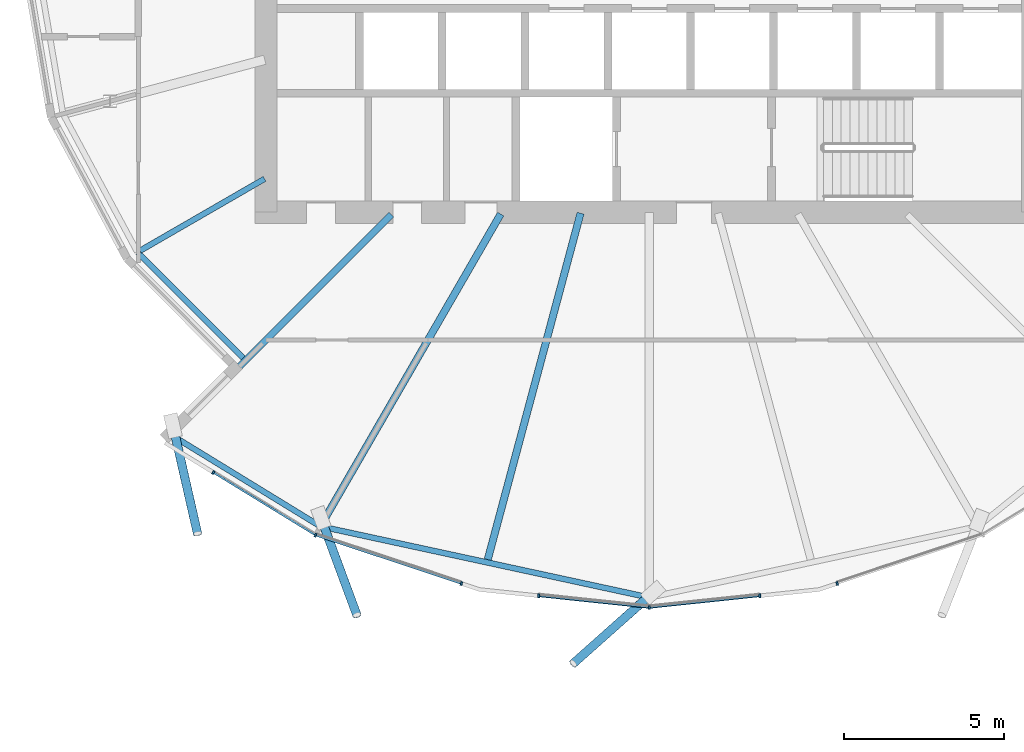
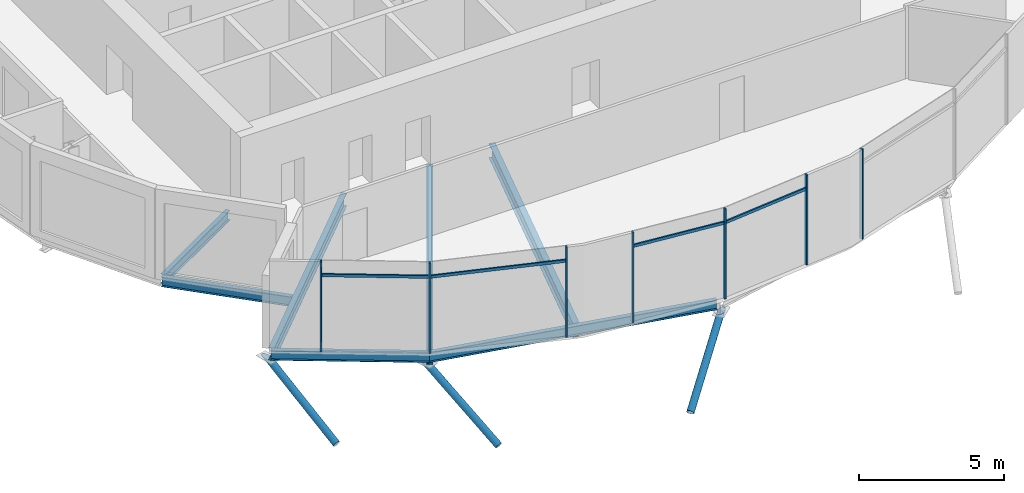
# One storey, part 3 of 39: 14 members, 7 beams, 1 element without a shape of its own.
"""IFC4 building model written with IfcOpenShell, lengths in metres."""

import ifcopenshell
import ifcopenshell.guid

model = None  # the IFC model being written
_history = None  # IfcOwnerHistory: only IFC2X3 demands one
_inside = {}  # id of a spatial element -> (the spatial element, [elements in it])
_under = {}  # id of a project, library or spatial element -> (it, [spatial elements below it])
_declared = {}  # id of a project -> (the project, [libraries it declares])
_typed = {}  # id of a type object -> (the type object, [elements of that type])
_made_of = {}  # id of a material, layer set ... -> (it, [elements and type objects made of it])


def new_model(schema):
    """Start an empty IFC model of exactly this schema.

    Asked for "IFC4X3", IfcOpenShell would pick the latest addendum, in which some entities
    have other attributes; the version numbers below select the first issue.
    IFC2X3 requires an IfcOwnerHistory on every rooted entity: one is made here for all.
    """
    global model, _history
    if schema == "IFC4X3":
        model = ifcopenshell.file(schema_version=(4, 3, 0, 0))
    else:
        model = ifcopenshell.file(schema=schema)
    _inside.clear()
    _under.clear()
    _declared.clear()
    _typed.clear()
    _made_of.clear()
    _history = None
    if model.schema == "IFC2X3":
        org = make("IfcOrganization", Name="unknown")
        user = make(
            "IfcPersonAndOrganization",
            ThePerson=make("IfcPerson", FamilyName="unknown"),
            TheOrganization=org,
        )
        app = make(
            "IfcApplication",
            ApplicationDeveloper=org,
            Version="unknown",
            ApplicationFullName="unknown",
            ApplicationIdentifier="unknown",
        )
        _history = make(
            "IfcOwnerHistory",
            OwningUser=user,
            OwningApplication=app,
            ChangeAction="ADDED",
            CreationDate=0,
        )
    return model


def make(cls, **values):
    """One entity of the class cls with the attributes given. An attribute that is None is left unset."""
    return model.create_entity(
        cls, **{name: value for name, value in values.items() if value is not None}
    )


def rooted(cls, **values):
    """An entity with a GlobalId (a new one), such as an element, a storey or a relation."""
    return make(cls, GlobalId=ifcopenshell.guid.new(), OwnerHistory=_history, **values)


def si_unit(unit_type, name, prefix=None):
    """IfcSIUnit, for example si_unit("LENGTHUNIT", "METRE", prefix="MILLI")."""
    return make("IfcSIUnit", UnitType=unit_type, Prefix=prefix, Name=name)


def assignment(units):
    """IfcUnitAssignment: the units of a project."""
    return None if units is None else make("IfcUnitAssignment", Units=units)


def point(xyz):
    """IfcCartesianPoint."""
    return None if xyz is None else make("IfcCartesianPoint", Coordinates=xyz)


def direction(xyz):
    """IfcDirection."""
    return None if xyz is None else make("IfcDirection", DirectionRatios=xyz)


def frame(location, z_axis=None, x_axis=None):
    """IfcAxis2Placement3D, a coordinate frame: its origin and axes. An axis left out is left unset."""
    return make(
        "IfcAxis2Placement3D",
        Location=point(location),
        Axis=direction(z_axis),
        RefDirection=direction(x_axis),
    )


def frame_2d(location, x_axis=None):
    """IfcAxis2Placement2D, a coordinate frame in the plane: its origin and x axis."""
    return make(
        "IfcAxis2Placement2D", Location=point(location), RefDirection=direction(x_axis)
    )


def origin():
    """The frame at (0, 0, 0) with its axes left unset."""
    return frame((0.0, 0.0, 0.0))


def origin_2d():
    """The frame at (0, 0) in the plane with its x axis left unset."""
    return frame_2d((0.0, 0.0))


def place(relative_to, where):
    """IfcLocalPlacement: puts the frame where relative to a parent placement (None: the world)."""
    return make(
        "IfcLocalPlacement", PlacementRelTo=relative_to, RelativePlacement=where
    )


def context(
    kind, dimensions, precision=None, world=None, true_north=None, identifier=None
):
    """IfcGeometricRepresentationContext, for example the 3D "Model" context."""
    return make(
        "IfcGeometricRepresentationContext",
        ContextIdentifier=identifier,
        ContextType=kind,
        CoordinateSpaceDimension=dimensions,
        Precision=precision,
        WorldCoordinateSystem=world,
        TrueNorth=true_north,
    )


def subcontext(parent, identifier, kind, view, scale=None):
    """IfcGeometricRepresentationSubContext, for example "Body" below "Model"."""
    return make(
        "IfcGeometricRepresentationSubContext",
        ContextIdentifier=identifier,
        ContextType=kind,
        ParentContext=parent,
        TargetScale=scale,
        TargetView=view,
    )


def project(units=None, contexts=None):
    """IfcProject with its units and contexts."""
    return rooted(
        "IfcProject",
        Name="project",
        RepresentationContexts=contexts,
        UnitsInContext=assignment(units),
    )


def spatial(cls, under=None, at=None, **own):
    """A site, building, storey or space (cls), placed at a placement, below another one or the project."""
    s = rooted(cls, ObjectPlacement=at, **own)
    if under is not None:
        _under.setdefault(under.id(), (under, []))[1].append(s)
    return s


def profile(cls, at=None, kind="AREA", **sizes):
    """A parametric profile (cls). Its sizes go by their IFC names, for example OverallWidth=200.0."""
    return make(cls, ProfileType=kind, Position=at, **sizes)


def rectangle(**sizes):
    """IfcRectangleProfileDef."""
    return profile("IfcRectangleProfileDef", **sizes)


def hollow_circle(**sizes):
    """IfcCircleHollowProfileDef."""
    return profile("IfcCircleHollowProfileDef", **sizes)


def i_section(**sizes):
    """IfcIShapeProfileDef."""
    return profile("IfcIShapeProfileDef", **sizes)


def extrude(swept, where, along, depth):
    """IfcExtrudedAreaSolid: the profile swept, set in the frame where, extruded along a direction by depth."""
    return make(
        "IfcExtrudedAreaSolid",
        SweptArea=swept,
        Position=where,
        ExtrudedDirection=direction(along),
        Depth=depth,
    )


def clip(a, b, op="DIFFERENCE"):
    """IfcBooleanClippingResult: the solid a cut by the half space b."""
    return make(
        "IfcBooleanClippingResult", Operator=op, FirstOperand=a, SecondOperand=b
    )


def halfspace(plane, agree):
    """IfcHalfSpaceSolid: all space on one side of the plane z = 0 of the frame plane."""
    return make(
        "IfcHalfSpaceSolid",
        BaseSurface=make("IfcPlane", Position=plane),
        AgreementFlag=agree,
    )


def shape(context_of_items, identifier, shape_type, items):
    """IfcShapeRepresentation: the items that make up one representation, for example the "Body"."""
    return make(
        "IfcShapeRepresentation",
        ContextOfItems=context_of_items,
        RepresentationIdentifier=identifier,
        RepresentationType=shape_type,
        Items=items,
    )


def material(Name=None, Category=None):
    """IfcMaterial."""
    return make("IfcMaterial", Name=Name, Category=Category)


def material_profile(
    of_material, cross_section, Name=None, Category=None, Priority=None
):
    """IfcMaterialProfile: a cross section and its material."""
    return make(
        "IfcMaterialProfile",
        Name=Name,
        Material=of_material,
        Profile=cross_section,
        Priority=Priority,
        Category=Category,
    )


def profile_set(profiles, Name=None, composite=None):
    """IfcMaterialProfileSet."""
    return make(
        "IfcMaterialProfileSet",
        Name=Name,
        MaterialProfiles=profiles,
        CompositeProfile=composite,
    )


def made_of(thing, what):
    """Note that an element or type object is made of a material, layer set ...; save() writes the relation."""
    if what is not None:
        _made_of.setdefault(what.id(), (what, []))[1].append(thing)
    return thing


def type_object(cls, material=None, **own):
    """A type object (cls), such as IfcWallType, which elements share."""
    return made_of(rooted(cls, **own), material)


def element(
    cls,
    number,
    at=None,
    inside=None,
    cuts=None,
    type_object=None,
    material=None,
    context=None,
    identifier="Body",
    shape_type=None,
    held_by="IfcProductDefinitionShape",
    body=None,
    shapes=None,
    **own,
):
    """One element of the class cls, such as IfcWall. Its Tag is "e" and its number.

    at: its placement. inside: the storey or other place that contains it. cuts: it is an
    opening in that element (IfcRelVoidsElement). A single representation is given by context,
    identifier, shape_type and body (its items); several are given by shapes. held_by: the class
    of the entity that holds the representations. save() writes the other relations.
    """
    e = rooted(cls, Tag="e%d" % number, ObjectPlacement=at, **own)
    if body is not None:
        shapes = [shape(context, identifier, shape_type, body)]
    if shapes is not None:
        e.Representation = make(held_by, Representations=shapes)
    if inside is not None:
        _inside.setdefault(inside.id(), (inside, []))[1].append(e)
    if cuts is not None:
        rooted(
            "IfcRelVoidsElement", RelatingBuildingElement=cuts, RelatedOpeningElement=e
        )
    if type_object is not None:
        _typed.setdefault(type_object.id(), (type_object, []))[1].append(e)
    return made_of(e, material)


def aggregate(whole, parts):
    """IfcRelAggregates: a whole, such as a stair, and the parts it consists of."""
    return rooted("IfcRelAggregates", RelatingObject=whole, RelatedObjects=parts)


def save(model, path):
    """Write the relations noted so far, then the file.

    IfcRelAggregates (storeys below a building ...), IfcRelContainedInSpatialStructure (elements
    in a storey), IfcRelDefinesByType, IfcRelAssociatesMaterial and IfcRelDeclares: one each for
    every whole, place, type object, material and project.
    """
    for whole, parts in _under.values():
        aggregate(whole, parts)
    for where, things in _inside.values():
        rooted(
            "IfcRelContainedInSpatialStructure",
            RelatedElements=things,
            RelatingStructure=where,
        )
    for kind, things in _typed.values():
        rooted("IfcRelDefinesByType", RelatedObjects=things, RelatingType=kind)
    for what, things in _made_of.values():
        rooted("IfcRelAssociatesMaterial", RelatedObjects=things, RelatingMaterial=what)
    for by, libraries in _declared.values():
        rooted("IfcRelDeclares", RelatingContext=by, RelatedDefinitions=libraries)
    model.write(path)


model = new_model("IFC4")

# Units and contexts
model_context = context("Model", 3, precision=1e-05, world=origin(), true_north=direction((0.0, 1.0)))
body_context = subcontext(model_context, "Body", "Model", "MODEL_VIEW")
ifc_project = project(units=[si_unit("LENGTHUNIT", "METRE"), si_unit("AREAUNIT", "SQUARE_METRE"), si_unit("VOLUMEUNIT", "CUBIC_METRE"), si_unit("PLANEANGLEUNIT", "RADIAN"), si_unit("MASSUNIT", "GRAM", prefix="KILO")], contexts=[model_context])

# Site, building, storey
site_placement = place(None, origin())
site = spatial("IfcSite", under=ifc_project, at=site_placement, CompositionType="ELEMENT")
building_placement = place(site_placement, origin())
building = spatial("IfcBuilding", under=site, at=building_placement, Name="Rimbun Link Towers", CompositionType="ELEMENT")
storey_placement = place(building_placement, frame((0.0, 0.0, 139.199951171875)))
storey = spatial("IfcBuildingStorey", under=building, at=storey_placement, Name="L33", CompositionType="ELEMENT", Elevation=139.199951171875)

# Curtain wall, members
ifc_material_1 = material(Name="Aluminium 6063-T6 and low-iron glass", Category="aluminium")
curtain_wall_type = type_object("IfcCurtainWallType", Name="CW4 link block wall", PredefinedType="NOTDEFINED", material=ifc_material_1)
curtain_wall_placement = place(storey_placement, origin())
curtain_wall = element("IfcCurtainWall", 1, at=curtain_wall_placement, inside=storey, type_object=curtain_wall_type, Name="CW4 L33 T1", PredefinedType="NOTDEFINED")
ifc_material_2 = material(Name="Aluminium 6063-T6", Category="aluminium")
ifc_material_profile_1 = material_profile(ifc_material_2, rectangle(XDim=0.1201171875, YDim=0.06005859375, at=origin_2d()), Name="MULLION 60X120")
ifc_profile_set_1 = profile_set([ifc_material_profile_1], Name="Aluminium 6063-T6")
member_type_1 = type_object("IfcMemberType", Name="CW4 mullion 60X120", PredefinedType="MULLION", material=ifc_profile_set_1)
member_1_placement = place(storey_placement, frame((-42.20068359375, -18.11181640625, 0.0), z_axis=(0.0, 0.0, 1.0), x_axis=(-0.421697332152, -0.906736654192, 0.0)))
member_1 = element("IfcMember", 2, at=member_1_placement, type_object=member_type_1, Name="CW4 mullion", PredefinedType="MULLION", context=body_context, shape_type="SweptSolid", body=[
    extrude(rectangle(XDim=0.1201171875, YDim=0.06005859375, at=origin_2d()), origin(), (0.0, 0.0, 1.0), 3.800048828125),
])
member_2_placement = place(storey_placement, frame((-45.401611328125, -16.147216796875, 0.0), z_axis=(0.0, 0.0, 1.0), x_axis=(-0.523225378089, -0.852194346217, 0.0)))
member_2 = element("IfcMember", 3, at=member_2_placement, type_object=member_type_1, Name="CW4 mullion", PredefinedType="MULLION", context=body_context, shape_type="SweptSolid", body=[
    extrude(rectangle(XDim=0.1201171875, YDim=0.06005859375, at=origin_2d()), origin(), (0.0, 0.0, 1.0), 3.800048828125),
])
member_3_placement = place(storey_placement, frame((-37.632568359375, -19.626220703125, 0.0), z_axis=(0.0, 0.0, 1.0), x_axis=(-0.314567961741, -0.949234953763, 0.0)))
member_3 = element("IfcMember", 4, at=member_3_placement, type_object=member_type_1, Name="CW4 mullion", PredefinedType="MULLION", context=body_context, shape_type="SweptSolid", body=[
    extrude(rectangle(XDim=0.1201171875, YDim=0.06005859375, at=origin_2d()), origin(), (0.0, 0.0, 1.0), 3.800048828125),
])
member_4_placement = place(storey_placement, frame((-31.75, -20.37548828125, 0.0), z_axis=(0.0, 0.0, 1.0), x_axis=(0.0, -1.0, 0.0)))
member_4 = element("IfcMember", 5, at=member_4_placement, type_object=member_type_1, Name="CW4 mullion", PredefinedType="MULLION", context=body_context, shape_type="SweptSolid", body=[
    extrude(rectangle(XDim=0.1201171875, YDim=0.06005859375, at=origin_2d()), origin(), (0.0, 0.0, 1.0), 3.800048828125),
])
member_5_placement = place(storey_placement, frame((-35.21044921875, -20.011474609375, 0.0), z_axis=(0.0, 0.0, 1.0), x_axis=(-0.104745411125, -0.994499069305, 0.0)))
member_5 = element("IfcMember", 6, at=member_5_placement, type_object=member_type_1, Name="CW4 mullion", PredefinedType="MULLION", context=body_context, shape_type="SweptSolid", body=[
    extrude(rectangle(XDim=0.1201171875, YDim=0.06005859375, at=origin_2d()), origin(), (0.0, 0.0, 1.0), 3.800048828125),
])
member_6_placement = place(storey_placement, frame((-28.28955078125, -20.011474609375, 0.0), z_axis=(0.0, 0.0, 1.0), x_axis=(0.104745411125, -0.994499069305, 0.0)))
member_6 = element("IfcMember", 7, at=member_6_placement, type_object=member_type_1, Name="CW4 mullion", PredefinedType="MULLION", context=body_context, shape_type="SweptSolid", body=[
    extrude(rectangle(XDim=0.1201171875, YDim=0.06005859375, at=origin_2d()), origin(), (0.0, 0.0, 1.0), 3.800048828125),
])
member_7_placement = place(storey_placement, frame((-25.867431640625, -19.626220703125, 0.0), z_axis=(0.0, 0.0, 1.0), x_axis=(0.314567961741, -0.949234953763, 0.0)))
member_7 = element("IfcMember", 8, at=member_7_placement, type_object=member_type_1, Name="CW4 mullion", PredefinedType="MULLION", context=body_context, shape_type="SweptSolid", body=[
    extrude(rectangle(XDim=0.1201171875, YDim=0.06005859375, at=origin_2d()), origin(), (0.0, 0.0, 1.0), 3.800048828125),
])
ifc_material_3 = material(Name="Aluminium 6063-T6", Category="aluminium")
ifc_material_profile_2 = material_profile(ifc_material_3, rectangle(XDim=0.06005859375, YDim=0.1201171875, at=origin_2d()), Name="TRANSOM 60X120")
ifc_profile_set_2 = profile_set([ifc_material_profile_2], Name="Aluminium 6063-T6")
member_type_2 = type_object("IfcMemberType", Name="CW4 transom 60X120", PredefinedType="USERDEFINED", material=ifc_profile_set_2)
member_8_placement = place(storey_placement, frame((-42.2314453125, -18.09130859375, 3.199951171875), z_axis=(-0.85218054514, 0.523247855691, 0.0), x_axis=(-0.523247855691, -0.85218054514, 0.0)))
member_8 = element("IfcMember", 9, at=member_8_placement, type_object=member_type_2, Name="CW4 transom", ObjectType="TRANSOM", PredefinedType="USERDEFINED", context=body_context, shape_type="SweptSolid", body=[
    extrude(rectangle(XDim=0.06005859375, YDim=0.1201171875, at=origin_2d()), origin(), (0.0, 0.0, 1.0), 3.688720703125),
])
member_9_placement = place(storey_placement, frame((-37.660400390625, -19.614990234375, 3.199951171875), z_axis=(-0.949232304469, 0.314575956093, 0.0), x_axis=(-0.314575956093, -0.949232304469, 0.0)))
member_9 = element("IfcMember", 10, at=member_9_placement, type_object=member_type_2, Name="CW4 transom", ObjectType="TRANSOM", PredefinedType="USERDEFINED", context=body_context, shape_type="SweptSolid", body=[
    extrude(rectangle(XDim=0.06005859375, YDim=0.1201171875, at=origin_2d()), origin(), (0.0, 0.0, 1.0), 4.745849609375),
])
member_10_placement = place(storey_placement, frame((-31.785888671875, -20.3701171875, 3.199951171875), z_axis=(-0.994502317074, 0.104714570785, 0.0), x_axis=(-0.104714570785, -0.994502317074, 0.0)))
member_10 = element("IfcMember", 11, at=member_10_placement, type_object=member_type_2, Name="CW4 transom", ObjectType="TRANSOM", PredefinedType="USERDEFINED", context=body_context, shape_type="SweptSolid", body=[
    extrude(rectangle(XDim=0.06005859375, YDim=0.1201171875, at=origin_2d()), origin(), (0.0, 0.0, 1.0), 3.413330078125),
])
member_11_placement = place(storey_placement, frame((-28.319580078125, -20.0126953125, 3.199951171875), z_axis=(-0.994502317074, -0.104714570785, 0.0), x_axis=(0.104714570785, -0.994502317074, 0.0)))
member_11 = element("IfcMember", 12, at=member_11_placement, type_object=member_type_2, Name="CW4 transom", ObjectType="TRANSOM", PredefinedType="USERDEFINED", context=body_context, shape_type="SweptSolid", body=[
    extrude(rectangle(XDim=0.06005859375, YDim=0.1201171875, at=origin_2d()), origin(), (0.0, 0.0, 1.0), 3.413330078125),
])
aggregate(curtain_wall, [member_1, member_2, member_3, member_4, member_5, member_6, member_7, member_8, member_9, member_10, member_11])

# Members
ifc_material_4 = material(Name="Steel S355J2H", Category="steel")
ifc_material_profile_3 = material_profile(ifc_material_4, hollow_circle(Radius=0.136474609375, WallThickness=0.012451171875, at=origin_2d()), Name="CHS 273x12.5")
ifc_profile_set_3 = profile_set([ifc_material_profile_3], Name="Steel S355J2H")
member_type_3 = type_object("IfcMemberType", Name="Floor edge link CHS 273x12.5", PredefinedType="BRACE", material=ifc_profile_set_3)
member_12_placement = place(storey_placement, frame((-46.62158203125, -14.87158203125, -0.833984375), z_axis=(0.196286030785, -0.861411888115, -0.468445677888), x_axis=(0.975007803261, 0.222170618176, 0.0)))
element("IfcMember", 13, at=member_12_placement, inside=storey, type_object=member_type_3, Name="Floor edge link T1 L33 15", PredefinedType="BRACE", context=body_context, shape_type="Clipping", body=[
    clip(extrude(hollow_circle(Radius=0.136474609375, WallThickness=0.012451171875, at=origin_2d()), frame((0.0, 0.0, -0.536376953125)), (0.0, 0.0, 1.0), 4.252685546875), halfspace(frame((0.0, 0.0, -0.25390625), z_axis=(0.0, 0.883492301533, -0.468445677888)), False)),
])
member_13_placement = place(storey_placement, frame((-41.977783203125, -17.715087890625, -0.8984375), z_axis=(0.293961968872, -0.794117166421, -0.53194387566), x_axis=(0.937808556256, 0.347152865194, 0.0)))
element("IfcMember", 14, at=member_13_placement, inside=storey, type_object=member_type_3, Name="Floor edge link T1 L33 16", PredefinedType="BRACE", context=body_context, shape_type="Clipping", body=[
    clip(extrude(hollow_circle(Radius=0.136474609375, WallThickness=0.012451171875, at=origin_2d()), frame((0.0, 0.0, -0.453369140625)), (0.0, 0.0, 1.0), 4.11669921875), halfspace(frame((0.0, 0.0, -0.214111328125), z_axis=(0.0, 0.846779613091, -0.53194387566)), False)),
])
member_14_placement = place(storey_placement, frame((-31.75, -20.01416015625, -0.980712890625), z_axis=(-0.640453968229, -0.569627294095, -0.51511499726), x_axis=(0.664582064056, -0.74721528366, 0.0)))
element("IfcMember", 15, at=member_14_placement, inside=storey, type_object=member_type_3, Name="Floor edge link T1 L33 18", PredefinedType="BRACE", context=body_context, shape_type="Clipping", body=[
    clip(extrude(hollow_circle(Radius=0.136474609375, WallThickness=0.012451171875, at=origin_2d()), frame((0.0, 0.0, -0.4736328125)), (0.0, 0.0, 1.0), 4.199951171875), halfspace(frame((0.0, 0.0, -0.223876953125), z_axis=(0.0, 0.857121076394, -0.51511499726)), False)),
])

# Beams
ifc_material_5 = material(Name="Steel S355J2", Category="steel")
ifc_material_profile_4 = material_profile(ifc_material_5, i_section(OverallWidth=0.177978515625, OverallDepth=0.406494140625, WebThickness=0.0078125, FlangeThickness=0.0126953125, at=origin_2d()), Name="UB 406x178x60")
ifc_profile_set_4 = profile_set([ifc_material_profile_4], Name="Steel S355J2")
beam_type_1 = type_object("IfcBeamType", Name="UB 406x178x60", PredefinedType="BEAM", material=ifc_profile_set_4)
beam_1_placement = place(storey_placement, frame((-43.79541015625, -6.954345703125, -0.383056640625), z_axis=(-0.86601319904, -0.500021138641, 0.0), x_axis=(0.500021138641, -0.86601319904, 0.0)))
element("IfcBeam", 16, at=beam_1_placement, inside=storey, type_object=beam_type_1, Name="Radial beam T1 L33 14", PredefinedType="BEAM", context=body_context, shape_type="SweptSolid", body=[
    extrude(i_section(OverallWidth=0.177978515625, OverallDepth=0.406494140625, WebThickness=0.0078125, FlangeThickness=0.0126953125, at=origin_2d()), origin(), (0.0, 0.0, 1.0), 4.504638671875),
])
beam_2_placement = place(storey_placement, frame((-47.764892578125, -9.261962890625, -0.383056640625), z_axis=(0.707159064582, -0.707054493925, 0.0), x_axis=(0.707054493925, 0.707159064582, 0.0)))
element("IfcBeam", 17, at=beam_2_placement, inside=storey, type_object=beam_type_1, Name="Edge beam T1 L33 14 recess", PredefinedType="BEAM", context=body_context, shape_type="SweptSolid", body=[
    extrude(i_section(OverallWidth=0.177978515625, OverallDepth=0.406494140625, WebThickness=0.0078125, FlangeThickness=0.0126953125, at=origin_2d()), origin(), (0.0, 0.0, 1.0), 4.66943359375),
])
beam_3_placement = place(storey_placement, frame((-46.7216796875, -14.972900390625, -0.383056640625), z_axis=(0.85269215505, -0.522413714135, 0.0), x_axis=(0.522413714135, 0.85269215505, 0.0)))
element("IfcBeam", 18, at=beam_3_placement, inside=storey, type_object=beam_type_1, Name="Edge beam T1 L33 15", PredefinedType="BEAM", context=body_context, shape_type="SweptSolid", body=[
    extrude(i_section(OverallWidth=0.177978515625, OverallDepth=0.406494140625, WebThickness=0.0078125, FlangeThickness=0.0126953125, at=origin_2d()), origin(), (0.0, 0.0, 1.0), 5.48046875),
])
beam_4_placement = place(storey_placement, frame((-42.046875, -17.836669921875, -0.383056640625), z_axis=(0.977390186472, -0.211443664809, 0.0), x_axis=(0.211443664809, 0.977390186472, 0.0)))
element("IfcBeam", 19, at=beam_4_placement, inside=storey, type_object=beam_type_1, Name="Edge beam T1 L33 16-18", PredefinedType="BEAM", context=body_context, shape_type="SweptSolid", body=[
    extrude(i_section(OverallWidth=0.177978515625, OverallDepth=0.406494140625, WebThickness=0.0078125, FlangeThickness=0.0126953125, at=origin_2d()), origin(), (0.0, 0.0, 1.0), 10.404541015625),
])
ifc_material_6 = material(Name="Steel S355J2", Category="steel")
ifc_material_profile_5 = material_profile(ifc_material_6, i_section(OverallWidth=0.209228515625, OverallDepth=0.533203125, WebThickness=0.010009765625, FlangeThickness=0.015625, at=origin_2d()), Name="UB 533x210x92")
ifc_profile_set_5 = profile_set([ifc_material_profile_5], Name="Steel S355J2")
beam_type_2 = type_object("IfcBeamType", Name="UB 533x210x92", PredefinedType="BEAM", material=ifc_profile_set_5)
beam_5_placement = place(storey_placement, frame((-39.82470703125, -8.07470703125, -0.446533203125), z_axis=(-0.707106781187, -0.707106781187, 0.0), x_axis=(0.707106781187, -0.707106781187, 0.0)))
element("IfcBeam", 20, at=beam_5_placement, inside=storey, type_object=beam_type_2, Name="Radial beam T1 L33 15", PredefinedType="BEAM", context=body_context, shape_type="SweptSolid", body=[
    extrude(i_section(OverallWidth=0.209228515625, OverallDepth=0.533203125, WebThickness=0.010009765625, FlangeThickness=0.015625, at=origin_2d()), origin(), (0.0, 0.0, 1.0), 9.662353515625),
])
ifc_material_7 = material(Name="Steel S355J2", Category="steel")
ifc_material_profile_6 = material_profile(ifc_material_7, i_section(OverallWidth=0.2275390625, OverallDepth=0.6025390625, WebThickness=0.010498046875, FlangeThickness=0.014892578125, at=origin_2d()), Name="UB 610x229x101")
ifc_profile_set_6 = profile_set([ifc_material_profile_6], Name="Steel S355J2")
beam_type_3 = type_object("IfcBeamType", Name="UB 610x229x101", PredefinedType="BEAM", material=ifc_profile_set_6)
beam_6_placement = place(storey_placement, frame((-36.402099609375, -8.057861328125, -0.481201171875), z_axis=(-0.500009226048, -0.866020077058, 0.0), x_axis=(0.866020077058, -0.500009226048, 0.0)))
element("IfcBeam", 21, at=beam_6_placement, inside=storey, type_object=beam_type_3, Name="Radial beam T1 L33 16", PredefinedType="BEAM", context=body_context, shape_type="SweptSolid", body=[
    extrude(i_section(OverallWidth=0.2275390625, OverallDepth=0.6025390625, WebThickness=0.010498046875, FlangeThickness=0.014892578125, at=origin_2d()), origin(), (0.0, 0.0, 1.0), 11.201416015625),
])
beam_7_placement = place(storey_placement, frame((-33.901611328125, -8.030517578125, -0.481201171875), z_axis=(-0.258834246174, -0.965921753046, 0.0), x_axis=(0.965921753046, -0.258834246174, 0.0)))
element("IfcBeam", 22, at=beam_7_placement, inside=storey, type_object=beam_type_3, Name="Radial beam T1 L33 17", PredefinedType="BEAM", context=body_context, shape_type="SweptSolid", body=[
    extrude(i_section(OverallWidth=0.2275390625, OverallDepth=0.6025390625, WebThickness=0.010498046875, FlangeThickness=0.014892578125, at=origin_2d()), origin(), (0.0, 0.0, 1.0), 11.230224609375),
])

save(model, "model.ifc")
